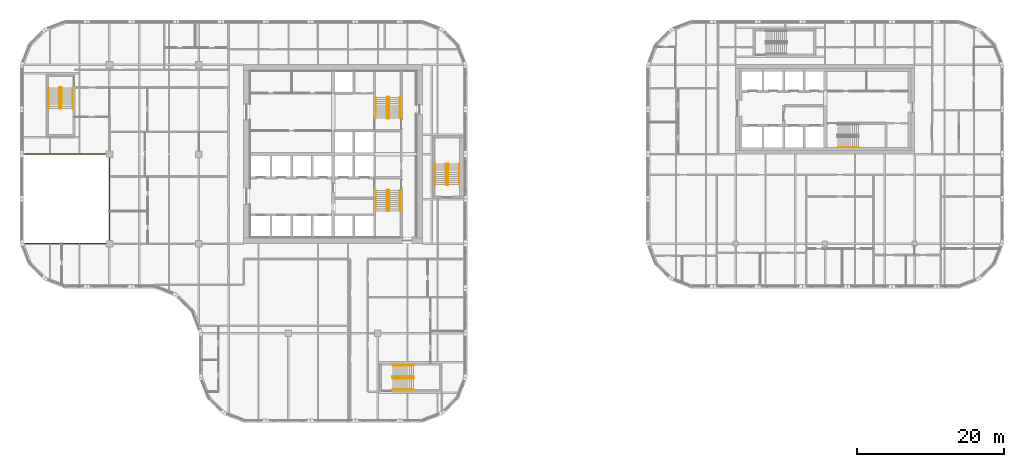
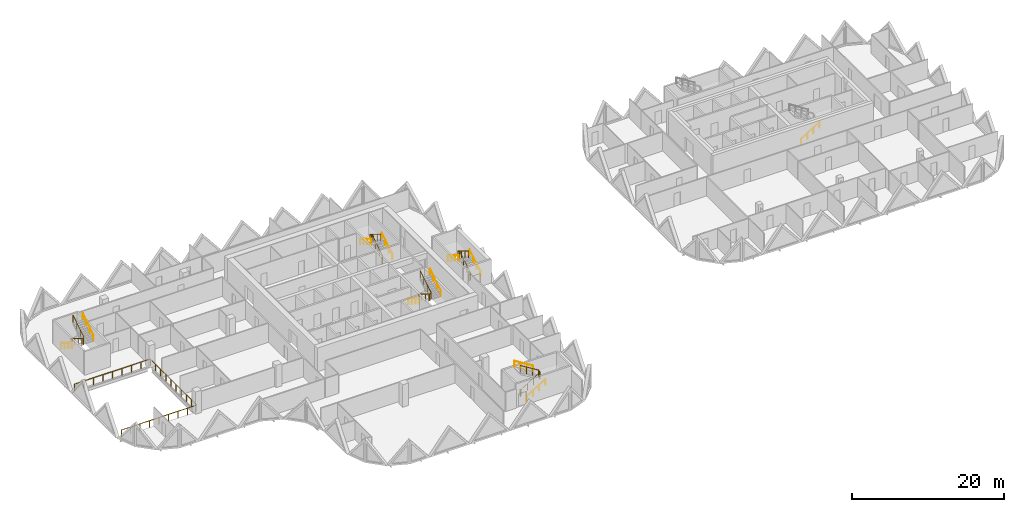
# One storey, part 18 of 19: 17 railings.
"""IFC4 building model written with IfcOpenShell, lengths in metres."""

from ifc_helpers import new_model, si_unit, direction, frame, origin, origin_2d, place, context, subcontext, project, spatial, circle, extrude, material, type_object, element, save


model = new_model("IFC4")

# Units and contexts
model_context = context("Model", 3, precision=1e-05, world=origin(), true_north=direction((0.0, 1.0)))
body_context = subcontext(model_context, "Body", "Model", "MODEL_VIEW")
ifc_project = project(units=[si_unit("LENGTHUNIT", "METRE"), si_unit("AREAUNIT", "SQUARE_METRE"), si_unit("VOLUMEUNIT", "CUBIC_METRE"), si_unit("PLANEANGLEUNIT", "RADIAN"), si_unit("MASSUNIT", "GRAM", prefix="KILO")], contexts=[model_context])

# Site, building, storey
site_placement = place(None, origin())
site = spatial("IfcSite", under=ifc_project, at=site_placement, CompositionType="ELEMENT")
building_placement = place(site_placement, origin())
building = spatial("IfcBuilding", under=site, at=building_placement, Name="Tessera Gate Towers", CompositionType="ELEMENT")
storey_placement = place(building_placement, frame((0.0, 0.0, 68.60009765625)))
storey = spatial("IfcBuildingStorey", under=building, at=storey_placement, Name="L16", CompositionType="ELEMENT", Elevation=68.60009765625)

# Railings
ifc_material_1 = material(Name="Toughened glass with stainless steel handrail", Category="steel")
railing_type_1 = type_object("IfcRailingType", Name="GUARD 1100 GLASS BALUSTRADE", PredefinedType="GUARDRAIL", material=ifc_material_1)
railing_1_placement = place(storey_placement, frame((0.750244140625, 24.39990234375, 0.0)))
element("IfcRailing", 1, at=railing_1_placement, inside=storey, type_object=railing_type_1, Name="Guard", PredefinedType="GUARDRAIL", context=body_context, shape_type="SweptSolid", body=[
    extrude(circle(Radius=0.02490234375, at=origin_2d()), frame((0.0, 0.0, 1.0751953125), z_axis=(1.0, 0.0, 0.0), x_axis=(0.0, 1.0, 0.0)), (0.0, 0.0, 1.0), 11.44970703125),
    extrude(circle(Radius=0.02490234375, at=origin_2d()), frame((11.44970703125, 0.0, 1.0751953125), z_axis=(0.0, 1.0, 0.0), x_axis=(-1.0, 0.0, 0.0)), (0.0, 0.0, 1.0), 12.2001953125),
    extrude(circle(Radius=0.02490234375, at=origin_2d()), frame((11.44970703125, 12.2001953125, 1.0751953125), z_axis=(-1.0, 0.0, 0.0), x_axis=(0.0, -1.0, 0.0)), (0.0, 0.0, 1.0), 11.5),
    extrude(circle(Radius=0.02490234375, at=origin_2d()), origin(), (0.0, 0.0, 1.0), 1.050048828125),
    extrude(circle(Radius=0.02490234375, at=origin_2d()), frame((1.43115234375, 0.0, 0.0)), (0.0, 0.0, 1.0), 1.050048828125),
    extrude(circle(Radius=0.02490234375, at=origin_2d()), frame((2.8623046875, 0.0, 0.0)), (0.0, 0.0, 1.0), 1.050048828125),
    extrude(circle(Radius=0.02490234375, at=origin_2d()), frame((4.293701171875, 0.0, 0.0)), (0.0, 0.0, 1.0), 1.050048828125),
    extrude(circle(Radius=0.02490234375, at=origin_2d()), frame((5.724853515625, 0.0, 0.0)), (0.0, 0.0, 1.0), 1.050048828125),
    extrude(circle(Radius=0.02490234375, at=origin_2d()), frame((7.156005859375, 0.0, 0.0)), (0.0, 0.0, 1.0), 1.050048828125),
    extrude(circle(Radius=0.02490234375, at=origin_2d()), frame((8.58740234375, 0.0, 0.0)), (0.0, 0.0, 1.0), 1.050048828125),
    extrude(circle(Radius=0.02490234375, at=origin_2d()), frame((10.0185546875, 0.0, 0.0)), (0.0, 0.0, 1.0), 1.050048828125),
    extrude(circle(Radius=0.02490234375, at=origin_2d()), frame((11.44970703125, 0.0, 0.0)), (0.0, 0.0, 1.0), 1.050048828125),
    extrude(circle(Radius=0.02490234375, at=origin_2d()), frame((11.44970703125, 1.35546875, 0.0)), (0.0, 0.0, 1.0), 1.050048828125),
    extrude(circle(Radius=0.02490234375, at=origin_2d()), frame((11.44970703125, 2.711181640625, 0.0)), (0.0, 0.0, 1.0), 1.050048828125),
    extrude(circle(Radius=0.02490234375, at=origin_2d()), frame((11.44970703125, 4.066650390625, 0.0)), (0.0, 0.0, 1.0), 1.050048828125),
    extrude(circle(Radius=0.02490234375, at=origin_2d()), frame((11.44970703125, 5.42236328125, 0.0)), (0.0, 0.0, 1.0), 1.050048828125),
    extrude(circle(Radius=0.02490234375, at=origin_2d()), frame((11.44970703125, 6.77783203125, 0.0)), (0.0, 0.0, 1.0), 1.050048828125),
    extrude(circle(Radius=0.02490234375, at=origin_2d()), frame((11.44970703125, 8.133544921875, 0.0)), (0.0, 0.0, 1.0), 1.050048828125),
    extrude(circle(Radius=0.02490234375, at=origin_2d()), frame((11.44970703125, 9.489013671875, 0.0)), (0.0, 0.0, 1.0), 1.050048828125),
    extrude(circle(Radius=0.02490234375, at=origin_2d()), frame((11.44970703125, 10.8447265625, 0.0)), (0.0, 0.0, 1.0), 1.050048828125),
    extrude(circle(Radius=0.02490234375, at=origin_2d()), frame((11.44970703125, 12.2001953125, 0.0)), (0.0, 0.0, 1.0), 1.050048828125),
    extrude(circle(Radius=0.02490234375, at=origin_2d()), frame((10.01220703125, 12.2001953125, 0.0)), (0.0, 0.0, 1.0), 1.050048828125),
    extrude(circle(Radius=0.02490234375, at=origin_2d()), frame((8.57470703125, 12.2001953125, 0.0)), (0.0, 0.0, 1.0), 1.050048828125),
    extrude(circle(Radius=0.02490234375, at=origin_2d()), frame((7.13720703125, 12.2001953125, 0.0)), (0.0, 0.0, 1.0), 1.050048828125),
    extrude(circle(Radius=0.02490234375, at=origin_2d()), frame((5.69970703125, 12.2001953125, 0.0)), (0.0, 0.0, 1.0), 1.050048828125),
    extrude(circle(Radius=0.02490234375, at=origin_2d()), frame((4.26220703125, 12.2001953125, 0.0)), (0.0, 0.0, 1.0), 1.050048828125),
    extrude(circle(Radius=0.02490234375, at=origin_2d()), frame((2.82470703125, 12.2001953125, 0.0)), (0.0, 0.0, 1.0), 1.050048828125),
    extrude(circle(Radius=0.02490234375, at=origin_2d()), frame((1.38720703125, 12.2001953125, 0.0)), (0.0, 0.0, 1.0), 1.050048828125),
    extrude(circle(Radius=0.02490234375, at=origin_2d()), frame((-0.05029296875, 12.2001953125, 0.0)), (0.0, 0.0, 1.0), 1.050048828125),
])
ifc_material_2 = material(Name="Steel 350W", Category="steel")
railing_type_2 = type_object("IfcRailingType", Name="STAIR GUARD 1100", PredefinedType="GUARDRAIL", material=ifc_material_2)
railing_2_placement = place(storey_placement, frame((50.27490234375, 31.72509765625, 0.0)))
element("IfcRailing", 2, at=railing_2_placement, inside=storey, type_object=railing_type_2, Name="L16 ST1 stair guard 1", PredefinedType="GUARDRAIL", context=body_context, shape_type="SweptSolid", body=[
    extrude(circle(Radius=0.02392578125, at=origin_2d()), frame((0.0, 0.0, 1.076171875), z_axis=(-1.0, 0.0, 0.0), x_axis=(0.0, -1.0, 0.0)), (0.0, 0.0, 1.0), 0.199951171875),
    extrude(circle(Radius=0.02392578125, at=origin_2d()), frame((-0.199951171875, 0.0, 1.076171875), z_axis=(-0.268277960024, -0.268277960024, 0.925231793839), x_axis=(0.707106781187, -0.707106781187, 0.0)), (0.0, 0.0, 1.0), 0.1865234375),
    extrude(circle(Radius=0.02392578125, at=origin_2d()), frame((-0.25, -0.050048828125, 1.24853515625), z_axis=(0.0, -0.851089632645, 0.525020415988), x_axis=(1.0, 0.0, 0.0)), (0.0, 0.0, 1.0), 3.2900390625),
    extrude(circle(Radius=0.02392578125, at=origin_2d()), frame((-0.25, -2.85009765625, 2.97607421875), z_axis=(0.707106781187, -0.707106781187, 0.0), x_axis=(0.707106781187, 0.707106781187, 0.0)), (0.0, 0.0, 1.0), 0.07080078125),
    extrude(circle(Radius=0.02392578125, at=origin_2d()), frame((-0.199951171875, -2.900146484375, 2.97607421875), z_axis=(1.0, 0.0, 0.0), x_axis=(0.0, 1.0, 0.0)), (0.0, 0.0, 1.0), 0.199951171875),
    extrude(circle(Radius=0.02392578125, at=origin_2d()), frame((0.0, -2.900146484375, 2.97607421875), z_axis=(0.268277960024, 0.268277960024, 0.925231793839), x_axis=(-0.707106781187, 0.707106781187, 0.0)), (0.0, 0.0, 1.0), 0.1865234375),
    extrude(circle(Radius=0.02392578125, at=origin_2d()), frame((0.050048828125, -2.85009765625, 3.1484375), z_axis=(0.0, 0.851089632645, 0.525020415988), x_axis=(-1.0, 0.0, 0.0)), (0.0, 0.0, 1.0), 3.2900390625),
    extrude(circle(Radius=0.02099609375, at=origin_2d()), origin(), (0.0, 0.0, 1.0), 1.052001953125),
    extrude(circle(Radius=0.02099609375, at=origin_2d()), frame((-0.199951171875, 0.0, 0.0)), (0.0, 0.0, 1.0), 1.052001953125),
    extrude(circle(Radius=0.02099609375, at=origin_2d()), frame((-0.25, -0.050048828125, 0.172607421875)), (0.0, 0.0, 1.0), 1.052001953125),
    extrude(circle(Radius=0.02099609375, at=origin_2d()), frame((-0.25, -0.9833984375, 0.748291015625)), (0.0, 0.0, 1.0), 1.052001953125),
    extrude(circle(Radius=0.02099609375, at=origin_2d()), frame((-0.25, -1.916748046875, 1.32421875)), (0.0, 0.0, 1.0), 1.052001953125),
    extrude(circle(Radius=0.02099609375, at=origin_2d()), frame((-0.25, -2.85009765625, 1.89990234375)), (0.0, 0.0, 1.0), 1.052001953125),
    extrude(circle(Radius=0.02099609375, at=origin_2d()), frame((-0.199951171875, -2.900146484375, 1.89990234375)), (0.0, 0.0, 1.0), 1.052001953125),
    extrude(circle(Radius=0.02099609375, at=origin_2d()), frame((0.0, -2.900146484375, 1.89990234375)), (0.0, 0.0, 1.0), 1.052001953125),
    extrude(circle(Radius=0.02099609375, at=origin_2d()), frame((0.050048828125, -2.85009765625, 2.072509765625)), (0.0, 0.0, 1.0), 1.052001953125),
    extrude(circle(Radius=0.02099609375, at=origin_2d()), frame((0.050048828125, -1.916748046875, 2.648193359375)), (0.0, 0.0, 1.0), 1.052001953125),
    extrude(circle(Radius=0.02099609375, at=origin_2d()), frame((0.050048828125, -0.9833984375, 3.22412109375)), (0.0, 0.0, 1.0), 1.052001953125),
    extrude(circle(Radius=0.02099609375, at=origin_2d()), frame((0.050048828125, -0.050048828125, 3.7998046875)), (0.0, 0.0, 1.0), 1.052001953125),
])
railing_3_placement = place(storey_placement, frame((50.074951171875, 41.47509765625, 0.0)))
element("IfcRailing", 3, at=railing_3_placement, inside=storey, type_object=railing_type_2, Name="L16 ST2 stair guard 1", PredefinedType="GUARDRAIL", context=body_context, shape_type="SweptSolid", body=[
    extrude(circle(Radius=0.02392578125, at=origin_2d()), frame((0.0, 0.0, 1.076171875), z_axis=(1.0, 0.0, 0.0), x_axis=(0.0, 1.0, 0.0)), (0.0, 0.0, 1.0), 0.199951171875),
    extrude(circle(Radius=0.02392578125, at=origin_2d()), frame((0.199951171875, 0.0, 1.076171875), z_axis=(0.268371968888, 0.267062837333, 0.925556009775), x_axis=(-0.705375805398, 0.708833529934, 0.0)), (0.0, 0.0, 1.0), 0.1865234375),
    extrude(circle(Radius=0.02392578125, at=origin_2d()), frame((0.25, 0.0498046875, 1.24853515625), z_axis=(0.0, 0.851089632645, 0.525020415988), x_axis=(-1.0, 0.0, 0.0)), (0.0, 0.0, 1.0), 3.2900390625),
    extrude(circle(Radius=0.02392578125, at=origin_2d()), frame((0.25, 2.849853515625, 2.97607421875), z_axis=(-0.707106781187, 0.707106781187, 0.0), x_axis=(-0.707106781187, -0.707106781187, 0.0)), (0.0, 0.0, 1.0), 0.07080078125),
    extrude(circle(Radius=0.02392578125, at=origin_2d()), frame((0.199951171875, 2.89990234375, 2.97607421875), z_axis=(-1.0, 0.0, 0.0), x_axis=(0.0, -1.0, 0.0)), (0.0, 0.0, 1.0), 0.199951171875),
    extrude(circle(Radius=0.02392578125, at=origin_2d()), frame((0.0, 2.89990234375, 2.97607421875), z_axis=(-0.268277960024, -0.268277960024, 0.925231793839), x_axis=(0.707106781187, -0.707106781187, 0.0)), (0.0, 0.0, 1.0), 0.1865234375),
    extrude(circle(Radius=0.02392578125, at=origin_2d()), frame((-0.050048828125, 2.849853515625, 3.1484375), z_axis=(0.0, -0.851089632645, 0.525020415988), x_axis=(1.0, 0.0, 0.0)), (0.0, 0.0, 1.0), 3.2900390625),
    extrude(circle(Radius=0.02099609375, at=origin_2d()), origin(), (0.0, 0.0, 1.0), 1.052001953125),
    extrude(circle(Radius=0.02099609375, at=origin_2d()), frame((0.199951171875, 0.0, 0.0)), (0.0, 0.0, 1.0), 1.052001953125),
    extrude(circle(Radius=0.02099609375, at=origin_2d()), frame((0.25, 0.0498046875, 0.172607421875)), (0.0, 0.0, 1.0), 1.052001953125),
    extrude(circle(Radius=0.02099609375, at=origin_2d()), frame((0.25, 0.983154296875, 0.748291015625)), (0.0, 0.0, 1.0), 1.052001953125),
    extrude(circle(Radius=0.02099609375, at=origin_2d()), frame((0.25, 1.91650390625, 1.32421875)), (0.0, 0.0, 1.0), 1.052001953125),
    extrude(circle(Radius=0.02099609375, at=origin_2d()), frame((0.25, 2.849853515625, 1.89990234375)), (0.0, 0.0, 1.0), 1.052001953125),
    extrude(circle(Radius=0.02099609375, at=origin_2d()), frame((0.199951171875, 2.89990234375, 1.89990234375)), (0.0, 0.0, 1.0), 1.052001953125),
    extrude(circle(Radius=0.02099609375, at=origin_2d()), frame((0.0, 2.89990234375, 1.89990234375)), (0.0, 0.0, 1.0), 1.052001953125),
    extrude(circle(Radius=0.02099609375, at=origin_2d()), frame((-0.050048828125, 2.849853515625, 2.072509765625)), (0.0, 0.0, 1.0), 1.052001953125),
    extrude(circle(Radius=0.02099609375, at=origin_2d()), frame((-0.050048828125, 1.91650390625, 2.648193359375)), (0.0, 0.0, 1.0), 1.052001953125),
    extrude(circle(Radius=0.02099609375, at=origin_2d()), frame((-0.050048828125, 0.983154296875, 3.22412109375)), (0.0, 0.0, 1.0), 1.052001953125),
    extrude(circle(Radius=0.02099609375, at=origin_2d()), frame((-0.050048828125, 0.0498046875, 3.7998046875)), (0.0, 0.0, 1.0), 1.052001953125),
])
railing_4_placement = place(storey_placement, frame((5.64990234375, 45.699951171875, 0.0)))
element("IfcRailing", 4, at=railing_4_placement, inside=storey, type_object=railing_type_2, Name="L16 ST3 stair guard 1", PredefinedType="GUARDRAIL", context=body_context, shape_type="SweptSolid", body=[
    extrude(circle(Radius=0.02392578125, at=origin_2d()), frame((0.0, 0.0, 1.076171875), z_axis=(-1.0, 0.0, 0.0), x_axis=(0.0, -1.0, 0.0)), (0.0, 0.0, 1.0), 0.199951171875),
    extrude(circle(Radius=0.02392578125, at=origin_2d()), frame((-0.199951171875, 0.0, 1.076171875), z_axis=(-0.268277960024, -0.268277960024, 0.925231793839), x_axis=(0.707106781187, -0.707106781187, 0.0)), (0.0, 0.0, 1.0), 0.1865234375),
    extrude(circle(Radius=0.02392578125, at=origin_2d()), frame((-0.25, -0.050048828125, 1.24853515625), z_axis=(0.0, -0.851069175582, 0.525053576669), x_axis=(1.0, 0.0, 0.0)), (0.0, 0.0, 1.0), 3.289794921875),
    extrude(circle(Radius=0.02392578125, at=origin_2d()), frame((-0.25, -2.849853515625, 2.97607421875), z_axis=(0.707106781187, -0.707106781187, 0.0), x_axis=(0.707106781187, 0.707106781187, 0.0)), (0.0, 0.0, 1.0), 0.07080078125),
    extrude(circle(Radius=0.02392578125, at=origin_2d()), frame((-0.199951171875, -2.89990234375, 2.97607421875), z_axis=(1.0, 0.0, 0.0), x_axis=(0.0, 1.0, 0.0)), (0.0, 0.0, 1.0), 0.199951171875),
    extrude(circle(Radius=0.02392578125, at=origin_2d()), frame((0.0, -2.89990234375, 2.97607421875), z_axis=(0.268277960024, 0.268277960024, 0.925231793839), x_axis=(-0.707106781187, 0.707106781187, 0.0)), (0.0, 0.0, 1.0), 0.1865234375),
    extrude(circle(Radius=0.02392578125, at=origin_2d()), frame((0.050048828125, -2.849853515625, 3.1484375), z_axis=(0.0, 0.851069175582, 0.525053576669), x_axis=(-1.0, 0.0, 0.0)), (0.0, 0.0, 1.0), 3.289794921875),
    extrude(circle(Radius=0.02099609375, at=origin_2d()), origin(), (0.0, 0.0, 1.0), 1.052001953125),
    extrude(circle(Radius=0.02099609375, at=origin_2d()), frame((-0.199951171875, 0.0, 0.0)), (0.0, 0.0, 1.0), 1.052001953125),
    extrude(circle(Radius=0.02099609375, at=origin_2d()), frame((-0.25, -0.050048828125, 0.172607421875)), (0.0, 0.0, 1.0), 1.052001953125),
    extrude(circle(Radius=0.02099609375, at=origin_2d()), frame((-0.25, -0.9833984375, 0.748291015625)), (0.0, 0.0, 1.0), 1.052001953125),
    extrude(circle(Radius=0.02099609375, at=origin_2d()), frame((-0.25, -1.91650390625, 1.32421875)), (0.0, 0.0, 1.0), 1.052001953125),
    extrude(circle(Radius=0.02099609375, at=origin_2d()), frame((-0.25, -2.849853515625, 1.89990234375)), (0.0, 0.0, 1.0), 1.052001953125),
    extrude(circle(Radius=0.02099609375, at=origin_2d()), frame((-0.199951171875, -2.89990234375, 1.89990234375)), (0.0, 0.0, 1.0), 1.052001953125),
    extrude(circle(Radius=0.02099609375, at=origin_2d()), frame((0.0, -2.89990234375, 1.89990234375)), (0.0, 0.0, 1.0), 1.052001953125),
    extrude(circle(Radius=0.02099609375, at=origin_2d()), frame((0.050048828125, -2.849853515625, 2.072509765625)), (0.0, 0.0, 1.0), 1.052001953125),
    extrude(circle(Radius=0.02099609375, at=origin_2d()), frame((0.050048828125, -1.91650390625, 2.648193359375)), (0.0, 0.0, 1.0), 1.052001953125),
    extrude(circle(Radius=0.02099609375, at=origin_2d()), frame((0.050048828125, -0.9833984375, 3.22412109375)), (0.0, 0.0, 1.0), 1.052001953125),
    extrude(circle(Radius=0.02099609375, at=origin_2d()), frame((0.050048828125, -0.050048828125, 3.7998046875)), (0.0, 0.0, 1.0), 1.052001953125),
])
railing_5_placement = place(storey_placement, frame((50.800048828125, 6.25, 0.0)))
element("IfcRailing", 5, at=railing_5_placement, inside=storey, type_object=railing_type_2, Name="L16 ST4 stair guard 1", PredefinedType="GUARDRAIL", context=body_context, shape_type="SweptSolid", body=[
    extrude(circle(Radius=0.02392578125, at=origin_2d()), frame((0.0, 0.0, 1.076171875), z_axis=(0.0, -1.0, 0.0), x_axis=(1.0, 0.0, 0.0)), (0.0, 0.0, 1.0), 0.199951171875),
    extrude(circle(Radius=0.02392578125, at=origin_2d()), frame((0.0, -0.199951171875, 1.076171875), z_axis=(0.268277960024, -0.268277960024, 0.925231793839), x_axis=(0.707106781187, 0.707106781187, 0.0)), (0.0, 0.0, 1.0), 0.1865234375),
    extrude(circle(Radius=0.02392578125, at=origin_2d()), frame((0.050048828125, -0.25, 1.24853515625), z_axis=(0.851069175582, 0.0, 0.525053576669), x_axis=(0.0, 1.0, 0.0)), (0.0, 0.0, 1.0), 3.289794921875),
    extrude(circle(Radius=0.02392578125, at=origin_2d()), frame((2.849853515625, -0.25, 2.97607421875), z_axis=(0.707106781187, 0.707106781187, 0.0), x_axis=(-0.707106781187, 0.707106781187, 0.0)), (0.0, 0.0, 1.0), 0.07080078125),
    extrude(circle(Radius=0.02392578125, at=origin_2d()), frame((2.89990234375, -0.199951171875, 2.97607421875), z_axis=(0.0, 1.0, 0.0), x_axis=(-1.0, 0.0, 0.0)), (0.0, 0.0, 1.0), 0.199951171875),
    extrude(circle(Radius=0.02392578125, at=origin_2d()), frame((2.89990234375, 0.0, 2.97607421875), z_axis=(-0.268277960024, 0.268277960024, 0.925231793839), x_axis=(-0.707106781187, -0.707106781187, 0.0)), (0.0, 0.0, 1.0), 0.1865234375),
    extrude(circle(Radius=0.02392578125, at=origin_2d()), frame((2.849853515625, 0.050048828125, 3.1484375), z_axis=(-0.851069175582, 0.0, 0.525053576669), x_axis=(0.0, -1.0, 0.0)), (0.0, 0.0, 1.0), 3.289794921875),
    extrude(circle(Radius=0.02099609375, at=origin_2d()), origin(), (0.0, 0.0, 1.0), 1.052001953125),
    extrude(circle(Radius=0.02099609375, at=origin_2d()), frame((0.0, -0.199951171875, 0.0)), (0.0, 0.0, 1.0), 1.052001953125),
    extrude(circle(Radius=0.02099609375, at=origin_2d()), frame((0.050048828125, -0.25, 0.172607421875)), (0.0, 0.0, 1.0), 1.052001953125),
    extrude(circle(Radius=0.02099609375, at=origin_2d()), frame((0.9833984375, -0.25, 0.748291015625)), (0.0, 0.0, 1.0), 1.052001953125),
    extrude(circle(Radius=0.02099609375, at=origin_2d()), frame((1.91650390625, -0.25, 1.32421875)), (0.0, 0.0, 1.0), 1.052001953125),
    extrude(circle(Radius=0.02099609375, at=origin_2d()), frame((2.849853515625, -0.25, 1.89990234375)), (0.0, 0.0, 1.0), 1.052001953125),
    extrude(circle(Radius=0.02099609375, at=origin_2d()), frame((2.89990234375, -0.199951171875, 1.89990234375)), (0.0, 0.0, 1.0), 1.052001953125),
    extrude(circle(Radius=0.02099609375, at=origin_2d()), frame((2.89990234375, 0.0, 1.89990234375)), (0.0, 0.0, 1.0), 1.052001953125),
    extrude(circle(Radius=0.02099609375, at=origin_2d()), frame((2.849853515625, 0.050048828125, 2.072509765625)), (0.0, 0.0, 1.0), 1.052001953125),
    extrude(circle(Radius=0.02099609375, at=origin_2d()), frame((1.91650390625, 0.050048828125, 2.648193359375)), (0.0, 0.0, 1.0), 1.052001953125),
    extrude(circle(Radius=0.02099609375, at=origin_2d()), frame((0.9833984375, 0.050048828125, 3.22412109375)), (0.0, 0.0, 1.0), 1.052001953125),
    extrude(circle(Radius=0.02099609375, at=origin_2d()), frame((0.050048828125, 0.050048828125, 3.7998046875)), (0.0, 0.0, 1.0), 1.052001953125),
])
railing_6_placement = place(storey_placement, frame((58.14990234375, 32.39990234375, 0.0)))
element("IfcRailing", 6, at=railing_6_placement, inside=storey, type_object=railing_type_2, Name="L16 ST5 stair guard 1", PredefinedType="GUARDRAIL", context=body_context, shape_type="SweptSolid", body=[
    extrude(circle(Radius=0.02392578125, at=origin_2d()), frame((0.0, 0.0, 1.076171875), z_axis=(1.0, 0.0, 0.0), x_axis=(0.0, 1.0, 0.0)), (0.0, 0.0, 1.0), 0.2001953125),
    extrude(circle(Radius=0.02392578125, at=origin_2d()), frame((0.2001953125, 0.0, 1.076171875), z_axis=(0.267062837333, 0.268371968888, 0.925556009775), x_axis=(-0.708833529934, 0.705375805398, 0.0)), (0.0, 0.0, 1.0), 0.1865234375),
    extrude(circle(Radius=0.02392578125, at=origin_2d()), frame((0.25, 0.050048828125, 1.24853515625), z_axis=(0.0, 0.851089632645, 0.525020415988), x_axis=(-1.0, 0.0, 0.0)), (0.0, 0.0, 1.0), 3.2900390625),
    extrude(circle(Radius=0.02392578125, at=origin_2d()), frame((0.25, 2.85009765625, 2.97607421875), z_axis=(-0.705375805398, 0.708833529934, 0.0), x_axis=(-0.708833529934, -0.705375805398, 0.0)), (0.0, 0.0, 1.0), 0.070556640625),
    extrude(circle(Radius=0.02392578125, at=origin_2d()), frame((0.2001953125, 2.900146484375, 2.97607421875), z_axis=(-1.0, 0.0, 0.0), x_axis=(0.0, -1.0, 0.0)), (0.0, 0.0, 1.0), 0.2001953125),
    extrude(circle(Radius=0.02392578125, at=origin_2d()), frame((0.0, 2.900146484375, 2.97607421875), z_axis=(-0.267062837333, -0.268371968888, 0.925556009775), x_axis=(0.708833529934, -0.705375805398, 0.0)), (0.0, 0.0, 1.0), 0.1865234375),
    extrude(circle(Radius=0.02392578125, at=origin_2d()), frame((-0.0498046875, 2.85009765625, 3.1484375), z_axis=(0.0, -0.851089632645, 0.525020415988), x_axis=(1.0, 0.0, 0.0)), (0.0, 0.0, 1.0), 3.2900390625),
    extrude(circle(Radius=0.02099609375, at=origin_2d()), origin(), (0.0, 0.0, 1.0), 1.052001953125),
    extrude(circle(Radius=0.02099609375, at=origin_2d()), frame((0.2001953125, 0.0, 0.0)), (0.0, 0.0, 1.0), 1.052001953125),
    extrude(circle(Radius=0.02099609375, at=origin_2d()), frame((0.25, 0.050048828125, 0.172607421875)), (0.0, 0.0, 1.0), 1.052001953125),
    extrude(circle(Radius=0.02099609375, at=origin_2d()), frame((0.25, 0.9833984375, 0.748291015625)), (0.0, 0.0, 1.0), 1.052001953125),
    extrude(circle(Radius=0.02099609375, at=origin_2d()), frame((0.25, 1.916748046875, 1.32421875)), (0.0, 0.0, 1.0), 1.052001953125),
    extrude(circle(Radius=0.02099609375, at=origin_2d()), frame((0.25, 2.85009765625, 1.89990234375)), (0.0, 0.0, 1.0), 1.052001953125),
    extrude(circle(Radius=0.02099609375, at=origin_2d()), frame((0.2001953125, 2.900146484375, 1.89990234375)), (0.0, 0.0, 1.0), 1.052001953125),
    extrude(circle(Radius=0.02099609375, at=origin_2d()), frame((0.0, 2.900146484375, 1.89990234375)), (0.0, 0.0, 1.0), 1.052001953125),
    extrude(circle(Radius=0.02099609375, at=origin_2d()), frame((-0.0498046875, 2.85009765625, 2.072509765625)), (0.0, 0.0, 1.0), 1.052001953125),
    extrude(circle(Radius=0.02099609375, at=origin_2d()), frame((-0.0498046875, 1.916748046875, 2.648193359375)), (0.0, 0.0, 1.0), 1.052001953125),
    extrude(circle(Radius=0.02099609375, at=origin_2d()), frame((-0.0498046875, 0.9833984375, 3.22412109375)), (0.0, 0.0, 1.0), 1.052001953125),
    extrude(circle(Radius=0.02099609375, at=origin_2d()), frame((-0.0498046875, 0.050048828125, 3.7998046875)), (0.0, 0.0, 1.0), 1.052001953125),
])
ifc_material_3 = material(Name="Steel 350W", Category="steel")
railing_type_3 = type_object("IfcRailingType", Name="STAIR HANDRAIL 900", PredefinedType="HANDRAIL", material=ifc_material_3)
railing_7_placement = place(storey_placement, frame((48.52490234375, 31.675048828125, 0.172607421875)))
element("IfcRailing", 7, at=railing_7_placement, inside=storey, type_object=railing_type_3, Name="L16 ST1 stair handrail 1", PredefinedType="HANDRAIL", context=body_context, shape_type="SweptSolid", body=[
    extrude(circle(Radius=0.02392578125, at=origin_2d()), frame((0.0, 0.0, 0.8759765625), z_axis=(0.0, -0.851089632645, 0.525020415988), x_axis=(1.0, 0.0, 0.0)), (0.0, 0.0, 1.0), 3.2900390625),
    extrude(circle(Radius=0.02099609375, at=origin_2d()), origin(), (0.0, 0.0, 1.0), 0.851806640625),
    extrude(circle(Radius=0.02099609375, at=origin_2d()), frame((0.0, -0.933349609375, 0.57568359375)), (0.0, 0.0, 1.0), 0.851806640625),
    extrude(circle(Radius=0.02099609375, at=origin_2d()), frame((0.0, -1.86669921875, 1.151611328125)), (0.0, 0.0, 1.0), 0.851806640625),
    extrude(circle(Radius=0.02099609375, at=origin_2d()), frame((0.0, -2.800048828125, 1.727294921875)), (0.0, 0.0, 1.0), 0.851806640625),
])
for number, where, name in (
    (8, (51.824951171875, 28.875, 2.072509765625), "L16 ST1 stair handrail 2"),
    (9, (51.824951171875, 41.52490234375, 0.172607421875), "L16 ST2 stair handrail 1"),
):
    element("IfcRailing", number, at=place(storey_placement, frame(where)), inside=storey, type_object=railing_type_3, Name=name, PredefinedType="HANDRAIL", context=body_context, shape_type="SweptSolid", body=[
        extrude(circle(Radius=0.02392578125, at=origin_2d()), frame((0.0, 0.0, 0.8759765625), z_axis=(0.0, 0.851089632645, 0.525020415988), x_axis=(-1.0, 0.0, 0.0)), (0.0, 0.0, 1.0), 3.2900390625),
        extrude(circle(Radius=0.02099609375, at=origin_2d()), origin(), (0.0, 0.0, 1.0), 0.851806640625),
        extrude(circle(Radius=0.02099609375, at=origin_2d()), frame((0.0, 0.933349609375, 0.57568359375)), (0.0, 0.0, 1.0), 0.851806640625),
        extrude(circle(Radius=0.02099609375, at=origin_2d()), frame((0.0, 1.86669921875, 1.151611328125)), (0.0, 0.0, 1.0), 0.851806640625),
        extrude(circle(Radius=0.02099609375, at=origin_2d()), frame((0.0, 2.800048828125, 1.727294921875)), (0.0, 0.0, 1.0), 0.851806640625),
    ])
railing_8_placement = place(storey_placement, frame((48.52490234375, 44.324951171875, 2.072509765625)))
element("IfcRailing", 10, at=railing_8_placement, inside=storey, type_object=railing_type_3, Name="L16 ST2 stair handrail 2", PredefinedType="HANDRAIL", context=body_context, shape_type="SweptSolid", body=[
    extrude(circle(Radius=0.02392578125, at=origin_2d()), frame((0.0, 0.0, 0.8759765625), z_axis=(0.0, -0.851089632645, 0.525020415988), x_axis=(1.0, 0.0, 0.0)), (0.0, 0.0, 1.0), 3.2900390625),
    extrude(circle(Radius=0.02099609375, at=origin_2d()), origin(), (0.0, 0.0, 1.0), 0.851806640625),
    extrude(circle(Radius=0.02099609375, at=origin_2d()), frame((0.0, -0.933349609375, 0.57568359375)), (0.0, 0.0, 1.0), 0.851806640625),
    extrude(circle(Radius=0.02099609375, at=origin_2d()), frame((0.0, -1.86669921875, 1.151611328125)), (0.0, 0.0, 1.0), 0.851806640625),
    extrude(circle(Radius=0.02099609375, at=origin_2d()), frame((0.0, -2.800048828125, 1.727294921875)), (0.0, 0.0, 1.0), 0.851806640625),
])
railing_9_placement = place(storey_placement, frame((3.89990234375, 45.64990234375, 0.172607421875)))
element("IfcRailing", 11, at=railing_9_placement, inside=storey, type_object=railing_type_3, Name="L16 ST3 stair handrail 1", PredefinedType="HANDRAIL", context=body_context, shape_type="SweptSolid", body=[
    extrude(circle(Radius=0.02392578125, at=origin_2d()), frame((0.0, 0.0, 0.8759765625), z_axis=(0.0, -0.851069175582, 0.525053576669), x_axis=(1.0, 0.0, 0.0)), (0.0, 0.0, 1.0), 3.289794921875),
    extrude(circle(Radius=0.02099609375, at=origin_2d()), origin(), (0.0, 0.0, 1.0), 0.851806640625),
    extrude(circle(Radius=0.02099609375, at=origin_2d()), frame((0.0, -0.933349609375, 0.57568359375)), (0.0, 0.0, 1.0), 0.851806640625),
    extrude(circle(Radius=0.02099609375, at=origin_2d()), frame((0.0, -1.866455078125, 1.151611328125)), (0.0, 0.0, 1.0), 0.851806640625),
    extrude(circle(Radius=0.02099609375, at=origin_2d()), frame((0.0, -2.7998046875, 1.727294921875)), (0.0, 0.0, 1.0), 0.851806640625),
])
railing_10_placement = place(storey_placement, frame((7.199951171875, 42.85009765625, 2.072509765625)))
element("IfcRailing", 12, at=railing_10_placement, inside=storey, type_object=railing_type_3, Name="L16 ST3 stair handrail 2", PredefinedType="HANDRAIL", context=body_context, shape_type="SweptSolid", body=[
    extrude(circle(Radius=0.02392578125, at=origin_2d()), frame((0.0, 0.0, 0.8759765625), z_axis=(0.0, 0.851069175582, 0.525053576669), x_axis=(-1.0, 0.0, 0.0)), (0.0, 0.0, 1.0), 3.289794921875),
    extrude(circle(Radius=0.02099609375, at=origin_2d()), origin(), (0.0, 0.0, 1.0), 0.851806640625),
    extrude(circle(Radius=0.02099609375, at=origin_2d()), frame((0.0, 0.933349609375, 0.57568359375)), (0.0, 0.0, 1.0), 0.851806640625),
    extrude(circle(Radius=0.02099609375, at=origin_2d()), frame((0.0, 1.866455078125, 1.151611328125)), (0.0, 0.0, 1.0), 0.851806640625),
    extrude(circle(Radius=0.02099609375, at=origin_2d()), frame((0.0, 2.7998046875, 1.727294921875)), (0.0, 0.0, 1.0), 0.851806640625),
])
railing_11_placement = place(storey_placement, frame((50.85009765625, 4.5, 0.172607421875)))
element("IfcRailing", 13, at=railing_11_placement, inside=storey, type_object=railing_type_3, Name="L16 ST4 stair handrail 1", PredefinedType="HANDRAIL", context=body_context, shape_type="SweptSolid", body=[
    extrude(circle(Radius=0.02392578125, at=origin_2d()), frame((0.0, 0.0, 0.8759765625), z_axis=(0.851069175582, 0.0, 0.525053576669), x_axis=(0.0, 1.0, 0.0)), (0.0, 0.0, 1.0), 3.289794921875),
    extrude(circle(Radius=0.02099609375, at=origin_2d()), origin(), (0.0, 0.0, 1.0), 0.851806640625),
    extrude(circle(Radius=0.02099609375, at=origin_2d()), frame((0.933349609375, 0.0, 0.57568359375)), (0.0, 0.0, 1.0), 0.851806640625),
    extrude(circle(Radius=0.02099609375, at=origin_2d()), frame((1.866455078125, 0.0, 1.151611328125)), (0.0, 0.0, 1.0), 0.851806640625),
    extrude(circle(Radius=0.02099609375, at=origin_2d()), frame((2.7998046875, 0.0, 1.727294921875)), (0.0, 0.0, 1.0), 0.851806640625),
])
railing_12_placement = place(storey_placement, frame((53.64990234375, 7.800048828125, 2.072509765625)))
element("IfcRailing", 14, at=railing_12_placement, inside=storey, type_object=railing_type_3, Name="L16 ST4 stair handrail 2", PredefinedType="HANDRAIL", context=body_context, shape_type="SweptSolid", body=[
    extrude(circle(Radius=0.02392578125, at=origin_2d()), frame((0.0, 0.0, 0.8759765625), z_axis=(-0.851069175582, 0.0, 0.525053576669), x_axis=(0.0, -1.0, 0.0)), (0.0, 0.0, 1.0), 3.289794921875),
    extrude(circle(Radius=0.02099609375, at=origin_2d()), origin(), (0.0, 0.0, 1.0), 0.851806640625),
    extrude(circle(Radius=0.02099609375, at=origin_2d()), frame((-0.933349609375, 0.0, 0.57568359375)), (0.0, 0.0, 1.0), 0.851806640625),
    extrude(circle(Radius=0.02099609375, at=origin_2d()), frame((-1.866455078125, 0.0, 1.151611328125)), (0.0, 0.0, 1.0), 0.851806640625),
    extrude(circle(Radius=0.02099609375, at=origin_2d()), frame((-2.7998046875, 0.0, 1.727294921875)), (0.0, 0.0, 1.0), 0.851806640625),
])
railing_13_placement = place(storey_placement, frame((59.89990234375, 32.449951171875, 0.172607421875)))
element("IfcRailing", 15, at=railing_13_placement, inside=storey, type_object=railing_type_3, Name="L16 ST5 stair handrail 1", PredefinedType="HANDRAIL", context=body_context, shape_type="SweptSolid", body=[
    extrude(circle(Radius=0.02392578125, at=origin_2d()), frame((0.0, 0.0, 0.8759765625), z_axis=(0.0, 0.851089632645, 0.525020415988), x_axis=(-1.0, 0.0, 0.0)), (0.0, 0.0, 1.0), 3.2900390625),
    extrude(circle(Radius=0.02099609375, at=origin_2d()), origin(), (0.0, 0.0, 1.0), 0.851806640625),
    extrude(circle(Radius=0.02099609375, at=origin_2d()), frame((0.0, 0.933349609375, 0.57568359375)), (0.0, 0.0, 1.0), 0.851806640625),
    extrude(circle(Radius=0.02099609375, at=origin_2d()), frame((0.0, 1.86669921875, 1.151611328125)), (0.0, 0.0, 1.0), 0.851806640625),
    extrude(circle(Radius=0.02099609375, at=origin_2d()), frame((0.0, 2.800048828125, 1.727294921875)), (0.0, 0.0, 1.0), 0.851806640625),
])
railing_14_placement = place(storey_placement, frame((56.60009765625, 35.25, 2.072509765625)))
element("IfcRailing", 16, at=railing_14_placement, inside=storey, type_object=railing_type_3, Name="L16 ST5 stair handrail 2", PredefinedType="HANDRAIL", context=body_context, shape_type="SweptSolid", body=[
    extrude(circle(Radius=0.02392578125, at=origin_2d()), frame((0.0, 0.0, 0.8759765625), z_axis=(0.0, -0.851089632645, 0.525020415988), x_axis=(1.0, 0.0, 0.0)), (0.0, 0.0, 1.0), 3.2900390625),
    extrude(circle(Radius=0.02099609375, at=origin_2d()), origin(), (0.0, 0.0, 1.0), 0.851806640625),
    extrude(circle(Radius=0.02099609375, at=origin_2d()), frame((0.0, -0.933349609375, 0.57568359375)), (0.0, 0.0, 1.0), 0.851806640625),
    extrude(circle(Radius=0.02099609375, at=origin_2d()), frame((0.0, -1.86669921875, 1.151611328125)), (0.0, 0.0, 1.0), 0.851806640625),
    extrude(circle(Radius=0.02099609375, at=origin_2d()), frame((0.0, -2.800048828125, 1.727294921875)), (0.0, 0.0, 1.0), 0.851806640625),
])
railing_15_placement = place(storey_placement, frame((111.550048828125, 37.550048828125, 0.172607421875)))
element("IfcRailing", 17, at=railing_15_placement, inside=storey, type_object=railing_type_3, Name="L16 ST6 stair handrail 1", PredefinedType="HANDRAIL", context=body_context, shape_type="SweptSolid", body=[
    extrude(circle(Radius=0.02392578125, at=origin_2d()), frame((0.0, 0.0, 0.8759765625), z_axis=(0.851089632645, 0.0, 0.525020415988), x_axis=(0.0, 1.0, 0.0)), (0.0, 0.0, 1.0), 3.2900390625),
    extrude(circle(Radius=0.02099609375, at=origin_2d()), origin(), (0.0, 0.0, 1.0), 0.851806640625),
    extrude(circle(Radius=0.02099609375, at=origin_2d()), frame((0.933349609375, 0.0, 0.57568359375)), (0.0, 0.0, 1.0), 0.851806640625),
    extrude(circle(Radius=0.02099609375, at=origin_2d()), frame((1.86669921875, 0.0, 1.151611328125)), (0.0, 0.0, 1.0), 0.851806640625),
    extrude(circle(Radius=0.02099609375, at=origin_2d()), frame((2.800048828125, 0.0, 1.727294921875)), (0.0, 0.0, 1.0), 0.851806640625),
])

save(model, "model.ifc")
